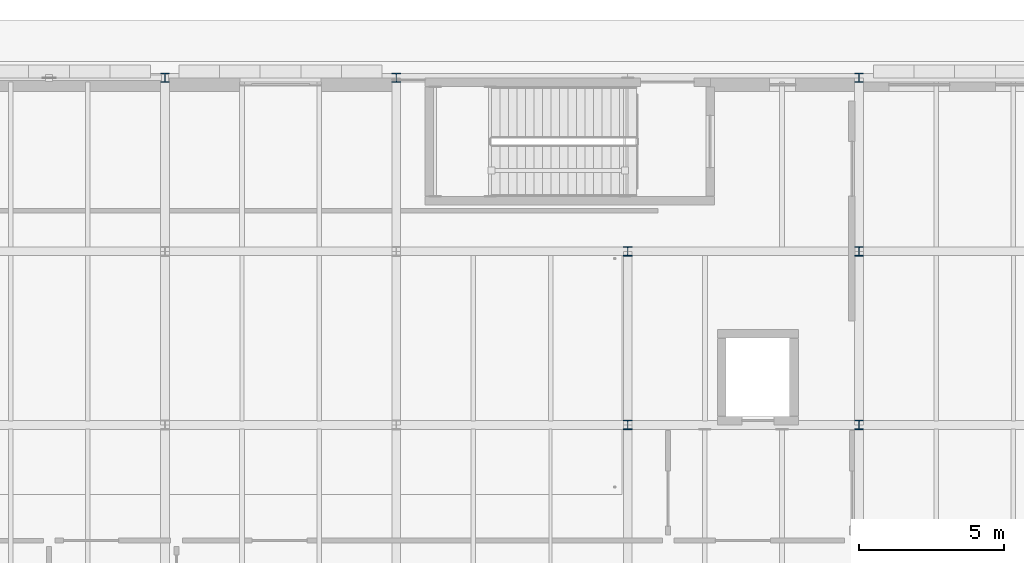
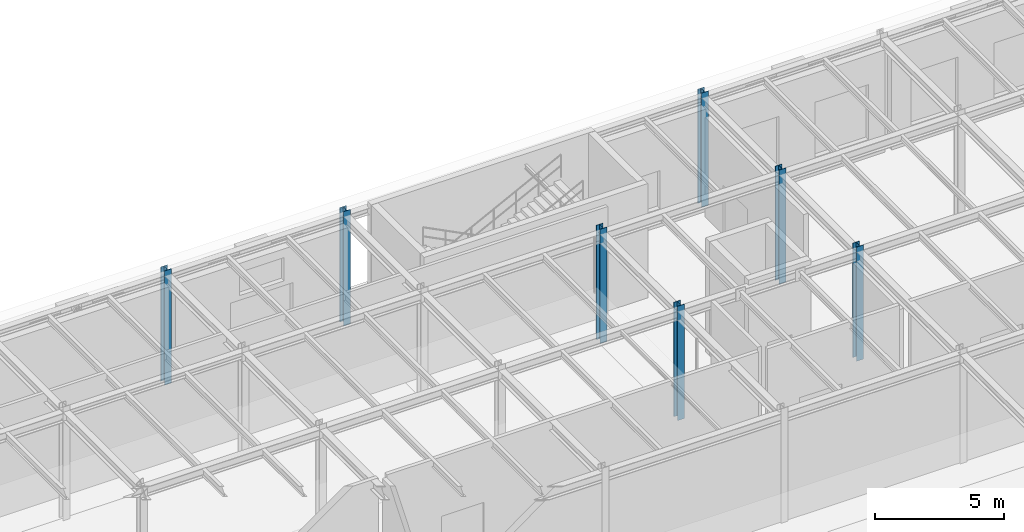
# One storey, part 13 of 129: 7 columns.
"""IFC4 building model written with IfcOpenShell, lengths in metres."""

from ifc_helpers import new_model, si_unit, direction, frame, origin, origin_2d, place, context, subcontext, project, spatial, i_section, extrude, material, material_profile, profile_set, type_object, element, save


model = new_model("IFC4")

# Units and contexts
model_context = context("Model", 3, precision=1e-05, world=origin(), true_north=direction((0.0, 1.0)))
body_context = subcontext(model_context, "Body", "Model", "MODEL_VIEW")
ifc_project = project(units=[si_unit("LENGTHUNIT", "METRE"), si_unit("AREAUNIT", "SQUARE_METRE"), si_unit("VOLUMEUNIT", "CUBIC_METRE"), si_unit("PLANEANGLEUNIT", "RADIAN"), si_unit("MASSUNIT", "GRAM", prefix="KILO")], contexts=[model_context])

# Site, building, storey
site_placement = place(None, origin())
site = spatial("IfcSite", under=ifc_project, at=site_placement, CompositionType="ELEMENT")
building_placement = place(site_placement, origin())
building = spatial("IfcBuilding", under=site, at=building_placement, Name="Sundkrona Museum", CompositionType="ELEMENT")
storey_placement = place(building_placement, origin())
storey = spatial("IfcBuildingStorey", under=building, at=storey_placement, Name="L00", CompositionType="ELEMENT", Elevation=0.0)

# Columns
ifc_material = material(Name="Steel S355J2", Category="steel")
ifc_material_profile = material_profile(ifc_material, i_section(OverallWidth=0.300048828125, OverallDepth=0.320068359375, WebThickness=0.011474609375, FlangeThickness=0.0205078125, FilletRadius=0.027099609375, at=origin_2d()), Name="HEB 320")
ifc_profile_set = profile_set([ifc_material_profile], Name="Steel S355J2")
column_type = type_object("IfcColumnType", Name="C-HEB320", PredefinedType="COLUMN", material=ifc_profile_set)
for number, where, z_axis, x_axis, name in (
    (1, (32.0, 114.0, 0.0), (0.0, 0.0, 1.0), (1.0, 0.0, 0.0), "L00 Column R/5"),
    (2, (40.0, 114.0, 0.0), (0.0, 0.0, 1.0), (1.0, 0.0, 0.0), "L00 Column R/6"),
    (3, (48.0, 102.0, 0.0), (0.0, 0.0, 1.0), (1.0, 0.0, 0.0), "L00 Column P/7"),
    (4, (48.0, 108.0, 0.0), (0.0, 0.0, 1.0), (1.0, 0.0, 0.0), "L00 Column Q/7"),
    (5, (56.0, 102.0, 0.0), (0.0, 0.0, 1.0), (1.0, 0.0, 0.0), "L00 Column P/8"),
    (6, (56.0, 108.0, 0.0), (0.0, 0.0, 1.0), (1.0, 0.0, 0.0), "L00 Column Q/8"),
    (7, (56.0, 114.0, 0.0), (0.0, 0.0, 1.0), (1.0, 0.0, 0.0), "L00 Column R/8"),
):
    element("IfcColumn", number, at=place(storey_placement, frame(where, z_axis=z_axis, x_axis=x_axis)), inside=storey, type_object=column_type, Name=name, PredefinedType="COLUMN", context=body_context, shape_type="SweptSolid", body=[
        extrude(i_section(OverallWidth=0.300048828125, OverallDepth=0.320068359375, WebThickness=0.011474609375, FlangeThickness=0.0205078125, FilletRadius=0.027099609375, at=origin_2d()), origin(), (0.0, 0.0, 1.0), 5.39990234375),
    ])

save(model, "model.ifc")
